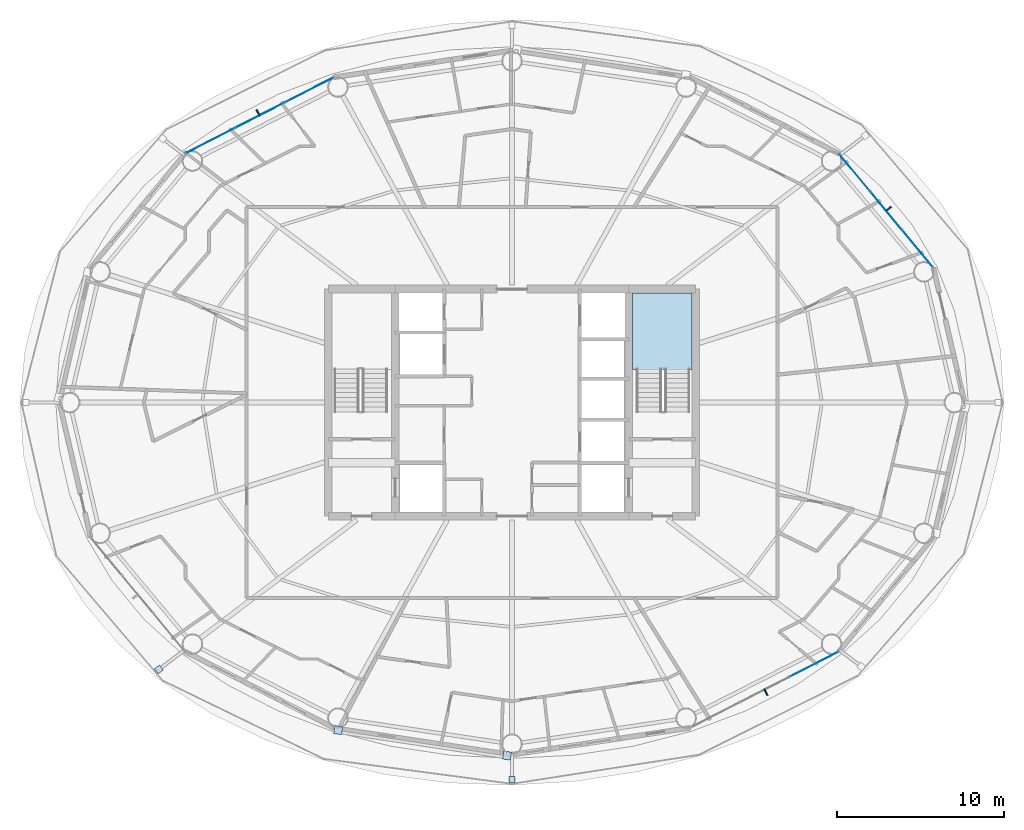
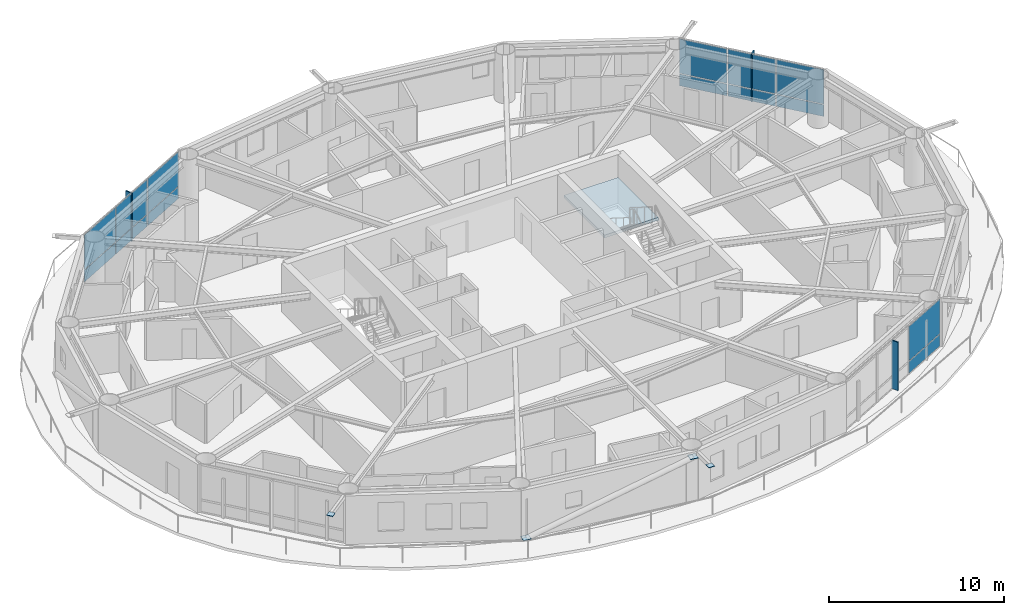
# One storey, part 19 of 28: 21 plates, 1 slab, 4 elements without a shape of their own.
"""IFC4 building model written with IfcOpenShell, lengths in metres."""

from ifc_helpers import new_model, si_unit, direction, frame, origin, origin_2d, place, context, subcontext, project, spatial, polyline, rectangle, outline, extrude, material, layer, layer_set, type_object, element, aggregate, save


model = new_model("IFC4")

# Units and contexts
model_context = context("Model", 3, precision=1e-05, world=origin(), true_north=direction((0.0, 1.0)))
body_context = subcontext(model_context, "Body", "Model", "MODEL_VIEW")
ifc_project = project(units=[si_unit("LENGTHUNIT", "METRE"), si_unit("AREAUNIT", "SQUARE_METRE"), si_unit("VOLUMEUNIT", "CUBIC_METRE"), si_unit("PLANEANGLEUNIT", "RADIAN"), si_unit("MASSUNIT", "GRAM", prefix="KILO")], contexts=[model_context])

# Site, building, storey
site_placement = place(None, origin())
site = spatial("IfcSite", under=ifc_project, at=site_placement, CompositionType="ELEMENT")
building_placement = place(site_placement, origin())
building = spatial("IfcBuilding", under=site, at=building_placement, Name="Sarneth Arch Tower", CompositionType="ELEMENT")
storey_placement = place(building_placement, frame((0.0, 0.0, 190.199951171875)))
storey = spatial("IfcBuildingStorey", under=building, at=storey_placement, Name="L48", CompositionType="ELEMENT", Elevation=190.199951171875)

# Curtain wall, plates
ifc_material_1 = material(Name="Anodised aluminium Type AA25 and solar-control low-e laminated IGU", Category="aluminium")
ifc_layer_1 = layer(ifc_material_1, 0.169921875)
ifc_layer_set_1 = layer_set([ifc_layer_1], Name="Anodised aluminium Type AA25 and solar-control low-e laminated IGU")
curtain_wall_type = type_object("IfcCurtainWallType", Name="CW-RES-MID", PredefinedType="NOTDEFINED", material=ifc_layer_set_1)
curtain_wall_1_placement = place(storey_placement, origin())
curtain_wall_1 = element("IfcCurtainWall", 1, at=curtain_wall_1_placement, inside=storey, type_object=curtain_wall_type, Name="L48 Unitised curtain wall facet 02", PredefinedType="NOTDEFINED")
ifc_material_2 = material(Name="Solar-control low-e laminated IGU", Category="glass")
ifc_layer_2 = layer(ifc_material_2, 0.028076171875)
ifc_layer_set_2 = layer_set([ifc_layer_2], Name="Solar-control low-e laminated IGU")
plate_type_1 = type_object("IfcPlateType", Name="CW-PANEL", PredefinedType="CURTAIN_PANEL", material=ifc_layer_set_2)
plate_1_placement = place(storey_placement, frame((72.280029296875, 51.21826171875, 0.06005859375), z_axis=(0.0, 0.0, 1.0), x_axis=(-0.637330298558, 0.770590741276, 0.0)))
plate_1 = element("IfcPlate", 2, at=plate_1_placement, type_object=plate_type_1, Name="Curtain wall glazed vision pane CW-L48-F02/P00-00", PredefinedType="CURTAIN_PANEL", context=body_context, shape_type="SweptSolid", body=[
    extrude(rectangle(XDim=2.8681640625, YDim=0.028076171875, at=origin_2d()), origin(), (0.0, 0.0, 1.0), 0.81005859375),
])
plate_2_placement = place(storey_placement, frame((72.280029296875, 51.21826171875, 0.93017578125), z_axis=(0.0, 0.0, 1.0), x_axis=(-0.637330298558, 0.770590741276, 0.0)))
plate_2 = element("IfcPlate", 3, at=plate_2_placement, type_object=plate_type_1, Name="Curtain wall glazed vision pane CW-L48-F02/P00-01", PredefinedType="CURTAIN_PANEL", context=body_context, shape_type="SweptSolid", body=[
    extrude(rectangle(XDim=2.8681640625, YDim=0.028076171875, at=origin_2d()), origin(), (0.0, 0.0, 1.0), 2.389892578125),
])
plate_3_placement = place(storey_placement, frame((70.404296875, 53.486328125, 0.06005859375), z_axis=(0.0, 0.0, 1.0), x_axis=(-0.637330298558, 0.770590741276, 0.0)))
plate_3 = element("IfcPlate", 4, at=plate_3_placement, type_object=plate_type_1, Name="Curtain wall glazed vision pane CW-L48-F02/P01-00", PredefinedType="CURTAIN_PANEL", context=body_context, shape_type="SweptSolid", body=[
    extrude(rectangle(XDim=2.898193359375, YDim=0.028076171875, at=origin_2d()), origin(), (0.0, 0.0, 1.0), 0.81005859375),
])
plate_4_placement = place(storey_placement, frame((70.404296875, 53.486328125, 0.93017578125), z_axis=(0.0, 0.0, 1.0), x_axis=(-0.637330298558, 0.770590741276, 0.0)))
plate_4 = element("IfcPlate", 5, at=plate_4_placement, type_object=plate_type_1, Name="Curtain wall glazed vision pane CW-L48-F02/P01-01", PredefinedType="CURTAIN_PANEL", context=body_context, shape_type="SweptSolid", body=[
    extrude(rectangle(XDim=2.898193359375, YDim=0.028076171875, at=origin_2d()), origin(), (0.0, 0.0, 1.0), 2.389892578125),
])
plate_5_placement = place(storey_placement, frame((68.5283203125, 55.75439453125, 0.06005859375), z_axis=(0.0, 0.0, 1.0), x_axis=(-0.637330298558, 0.770590741276, 0.0)))
plate_5 = element("IfcPlate", 6, at=plate_5_placement, type_object=plate_type_1, Name="Curtain wall glazed vision pane CW-L48-F02/P02-00", PredefinedType="CURTAIN_PANEL", context=body_context, shape_type="SweptSolid", body=[
    extrude(rectangle(XDim=2.8681640625, YDim=0.028076171875, at=origin_2d()), origin(), (0.0, 0.0, 1.0), 0.81005859375),
])
plate_6_placement = place(storey_placement, frame((68.5283203125, 55.75439453125, 0.93017578125), z_axis=(0.0, 0.0, 1.0), x_axis=(-0.637330298558, 0.770590741276, 0.0)))
plate_6 = element("IfcPlate", 7, at=plate_6_placement, type_object=plate_type_1, Name="Curtain wall glazed vision pane CW-L48-F02/P02-01", PredefinedType="CURTAIN_PANEL", context=body_context, shape_type="SweptSolid", body=[
    extrude(rectangle(XDim=2.8681640625, YDim=0.028076171875, at=origin_2d()), origin(), (0.0, 0.0, 1.0), 2.389892578125),
])
aggregate(curtain_wall_1, [plate_1, plate_2, plate_3, plate_4, plate_5, plate_6])

curtain_wall_2_placement = place(storey_placement, origin())
curtain_wall_2 = element("IfcCurtainWall", 8, at=curtain_wall_2_placement, inside=storey, type_object=curtain_wall_type, Name="L48 Unitised curtain wall facet 06", PredefinedType="NOTDEFINED")
plate_7_placement = place(storey_placement, frame((35.83837890625, 60.70703125, 0.06005859375), z_axis=(0.0, 0.0, 1.0), x_axis=(-0.88987293003, -0.456208470329, 0.0)))
plate_7 = element("IfcPlate", 9, at=plate_7_placement, type_object=plate_type_1, Name="Curtain wall glazed vision pane CW-L48-F06/P00-00", PredefinedType="CURTAIN_PANEL", context=body_context, shape_type="SweptSolid", body=[
    extrude(rectangle(XDim=3.248779296875, YDim=0.028076171875, at=origin_2d()), origin(), (0.0, 0.0, 1.0), 0.81005859375),
])
plate_8_placement = place(storey_placement, frame((35.83837890625, 60.70703125, 0.93017578125), z_axis=(0.0, 0.0, 1.0), x_axis=(-0.88987293003, -0.456208470329, 0.0)))
plate_8 = element("IfcPlate", 10, at=plate_8_placement, type_object=plate_type_1, Name="Curtain wall glazed vision pane CW-L48-F06/P00-01", PredefinedType="CURTAIN_PANEL", context=body_context, shape_type="SweptSolid", body=[
    extrude(rectangle(XDim=3.248779296875, YDim=0.028076171875, at=origin_2d()), origin(), (0.0, 0.0, 1.0), 2.389892578125),
])
plate_9_placement = place(storey_placement, frame((32.880615234375, 59.190673828125, 0.06005859375), z_axis=(0.0, 0.0, 1.0), x_axis=(-0.88987293003, -0.456208470329, 0.0)))
plate_9 = element("IfcPlate", 11, at=plate_9_placement, type_object=plate_type_1, Name="Curtain wall glazed vision pane CW-L48-F06/P01-00", PredefinedType="CURTAIN_PANEL", context=body_context, shape_type="SweptSolid", body=[
    extrude(rectangle(XDim=3.27880859375, YDim=0.028076171875, at=origin_2d()), origin(), (0.0, 0.0, 1.0), 0.81005859375),
])
plate_10_placement = place(storey_placement, frame((32.880615234375, 59.190673828125, 0.93017578125), z_axis=(0.0, 0.0, 1.0), x_axis=(-0.88987293003, -0.456208470329, 0.0)))
plate_10 = element("IfcPlate", 12, at=plate_10_placement, type_object=plate_type_1, Name="Curtain wall glazed vision pane CW-L48-F06/P01-01", PredefinedType="CURTAIN_PANEL", context=body_context, shape_type="SweptSolid", body=[
    extrude(rectangle(XDim=3.27880859375, YDim=0.028076171875, at=origin_2d()), origin(), (0.0, 0.0, 1.0), 2.389892578125),
])
plate_11_placement = place(storey_placement, frame((29.9228515625, 57.67431640625, 0.06005859375), z_axis=(0.0, 0.0, 1.0), x_axis=(-0.88987293003, -0.456208470329, 0.0)))
plate_11 = element("IfcPlate", 13, at=plate_11_placement, type_object=plate_type_1, Name="Curtain wall glazed vision pane CW-L48-F06/P02-00", PredefinedType="CURTAIN_PANEL", context=body_context, shape_type="SweptSolid", body=[
    extrude(rectangle(XDim=3.248779296875, YDim=0.028076171875, at=origin_2d()), origin(), (0.0, 0.0, 1.0), 0.81005859375),
])
plate_12_placement = place(storey_placement, frame((29.9228515625, 57.67431640625, 0.93017578125), z_axis=(0.0, 0.0, 1.0), x_axis=(-0.88987293003, -0.456208470329, 0.0)))
plate_12 = element("IfcPlate", 14, at=plate_12_placement, type_object=plate_type_1, Name="Curtain wall glazed vision pane CW-L48-F06/P02-01", PredefinedType="CURTAIN_PANEL", context=body_context, shape_type="SweptSolid", body=[
    extrude(rectangle(XDim=3.248779296875, YDim=0.028076171875, at=origin_2d()), origin(), (0.0, 0.0, 1.0), 2.389892578125),
])
aggregate(curtain_wall_2, [plate_7, plate_8, plate_9, plate_10, plate_11, plate_12])

curtain_wall_3_placement = place(storey_placement, origin())
curtain_wall_3 = element("IfcCurtainWall", 15, at=curtain_wall_3_placement, inside=storey, type_object=curtain_wall_type, Name="L48 Unitised curtain wall facet 14", PredefinedType="NOTDEFINED")
plate_13_placement = place(storey_placement, frame((66.0771484375, 26.32568359375, 0.06005859375), z_axis=(0.0, 0.0, 1.0), x_axis=(0.88987293003, 0.456208470329, 0.0)))
plate_13 = element("IfcPlate", 16, at=plate_13_placement, type_object=plate_type_1, Name="Curtain wall glazed vision pane CW-L48-F14/P02-00", PredefinedType="CURTAIN_PANEL", context=body_context, shape_type="SweptSolid", body=[
    extrude(rectangle(XDim=3.248779296875, YDim=0.028076171875, at=origin_2d()), origin(), (0.0, 0.0, 1.0), 0.81005859375),
])
plate_14_placement = place(storey_placement, frame((66.0771484375, 26.32568359375, 0.93017578125), z_axis=(0.0, 0.0, 1.0), x_axis=(0.88987293003, 0.456208470329, 0.0)))
plate_14 = element("IfcPlate", 17, at=plate_14_placement, type_object=plate_type_1, Name="Curtain wall glazed vision pane CW-L48-F14/P02-01", PredefinedType="CURTAIN_PANEL", context=body_context, shape_type="SweptSolid", body=[
    extrude(rectangle(XDim=3.248779296875, YDim=0.028076171875, at=origin_2d()), origin(), (0.0, 0.0, 1.0), 2.389892578125),
])
aggregate(curtain_wall_3, [plate_13, plate_14])

# Plates
ifc_material_3 = material(Name="Steel S355", Category="steel")
ifc_layer_3 = layer(ifc_material_3, 0.035888671875)
ifc_layer_set_3 = layer_set([ifc_layer_3], Name="Steel S355")
plate_type_2 = type_object("IfcPlateType", Name="PLT-GUSSET-30", PredefinedType="SHEET", material=ifc_layer_set_3)
plate_15_placement = place(storey_placement, frame((26.855224609375, 26.019775390625, 3.2021484375), z_axis=(0.0, 0.0, 1.0), x_axis=(-0.797794439539, -0.602929541689, 0.0)))
element("IfcPlate", 18, at=plate_15_placement, inside=storey, type_object=plate_type_2, Name="Steel end cap plate GP-1", PredefinedType="SHEET", context=body_context, shape_type="SweptSolid", body=[
    extrude(rectangle(XDim=0.3798828125, YDim=0.3798828125, at=origin_2d()), origin(), (0.0, 0.0, 1.0), 0.035888671875),
])
for number, where, z_axis, x_axis, name in (
    (19, (37.595703125, 22.387451171875, 0.001953125), (0.0, 0.0, 1.0), (0.98883454203, -0.149017611339, 0.0), "Steel end cap plate GP-1"),
    (20, (47.703369140625, 20.86474609375, 3.03271484375), (0.0, 0.0, 1.0), (0.98883454203, -0.149017611339, 0.0), "Steel end cap plate GP-1"),
):
    element("IfcPlate", number, at=place(storey_placement, frame(where, z_axis=z_axis, x_axis=x_axis)), inside=storey, type_object=plate_type_2, Name=name, PredefinedType="SHEET", context=body_context, shape_type="SweptSolid", body=[
        extrude(rectangle(XDim=0.486083984375, YDim=0.486083984375, at=origin_2d()), origin(), (0.0, 0.0, 1.0), 0.035888671875),
    ])
plate_16_placement = place(storey_placement, frame((48.0, 19.408203125, 3.2021484375), z_axis=(0.0, 0.0, 1.0), x_axis=(0.0, -1.0, 0.0)))
element("IfcPlate", 21, at=plate_16_placement, inside=storey, type_object=plate_type_2, Name="Steel end cap plate GP-1", PredefinedType="SHEET", context=body_context, shape_type="SweptSolid", body=[
    extrude(rectangle(XDim=0.3798828125, YDim=0.3798828125, at=origin_2d()), origin(), (0.0, 0.0, 1.0), 0.035888671875),
])
ifc_material_4 = material(Name="Extruded glazed terracotta baguette fin on Aluminium 6063-T6 carrier", Category="masonry")
ifc_layer_4 = layer(ifc_material_4, 0.080078125)
ifc_layer_set_4 = layer_set([ifc_layer_4], Name="Extruded glazed terracotta baguette fin on Aluminium 6063-T6 carrier")
plate_type_3 = type_object("IfcPlateType", Name="SHADE-TERRA-FIN", PredefinedType="SHEET", material=ifc_layer_set_4)
for number, where, z_axis, x_axis, name in (
    (22, (70.53515625, 53.5947265625, 0.009765625), (0.0, 0.0, 1.0), (0.770624482513, 0.637289500111, 0.0), "L48 Terracotta vertical shading fin 02"),
    (23, (32.802978515625, 59.341796875, 0.009765625), (0.0, 0.0, 1.0), (-0.456166281949, 0.889894557357, 0.0), "L48 Terracotta vertical shading fin 06"),
    (24, (63.197021484375, 24.658203125, 0.009765625), (0.0, 0.0, 1.0), (0.456166281949, -0.889894557357, 0.0), "L48 Terracotta vertical shading fin 14"),
):
    element("IfcPlate", number, at=place(storey_placement, frame(where, z_axis=z_axis, x_axis=x_axis)), inside=storey, type_object=plate_type_3, Name=name, PredefinedType="SHEET", context=body_context, shape_type="SweptSolid", body=[
        extrude(rectangle(XDim=0.419921875, YDim=0.080078125, at=origin_2d()), origin(), (0.0, 0.0, 1.0), 3.360107421875),
    ])

# Stair, slab
ifc_material_5 = material(Name="Concrete C50/60", Category="concrete")
stair_type = type_object("IfcStairType", Name="STAIR-CORE-RC", PredefinedType="HALF_TURN_STAIR", material=ifc_material_5)
stair_placement = place(storey_placement, origin())
stair = element("IfcStair", 25, at=stair_placement, inside=storey, type_object=stair_type, Name="L48 Core Exit Stair 2", PredefinedType="HALF_TURN_STAIR")
ifc_material_6 = material(Name="Concrete C50/60", Category="concrete")
ifc_layer_5 = layer(ifc_material_6, 0.199951171875)
ifc_layer_set_5 = layer_set([ifc_layer_5], Name="Concrete C50/60")
slab_type = type_object("IfcSlabType", Name="SLAB-LANDING-200", PredefinedType="LANDING", material=ifc_layer_set_5)
slab_placement = place(storey_placement, frame((0.0, 0.0, 1.60009765625)))
slab = element("IfcSlab", 26, at=slab_placement, type_object=slab_type, Name="ST-2 landing 1", PredefinedType="LANDING", context=body_context, shape_type="SweptSolid", body=[
    extrude(outline(polyline([(55.22509765625, 43.985107421875), (58.77490234375, 43.985107421875), (58.77490234375, 48.574951171875), (55.22509765625, 48.574951171875), (55.22509765625, 43.985107421875)])), origin(), (0.0, 0.0, 1.0), 0.199951171875),
])
aggregate(stair, [slab])

save(model, "model.ifc")
